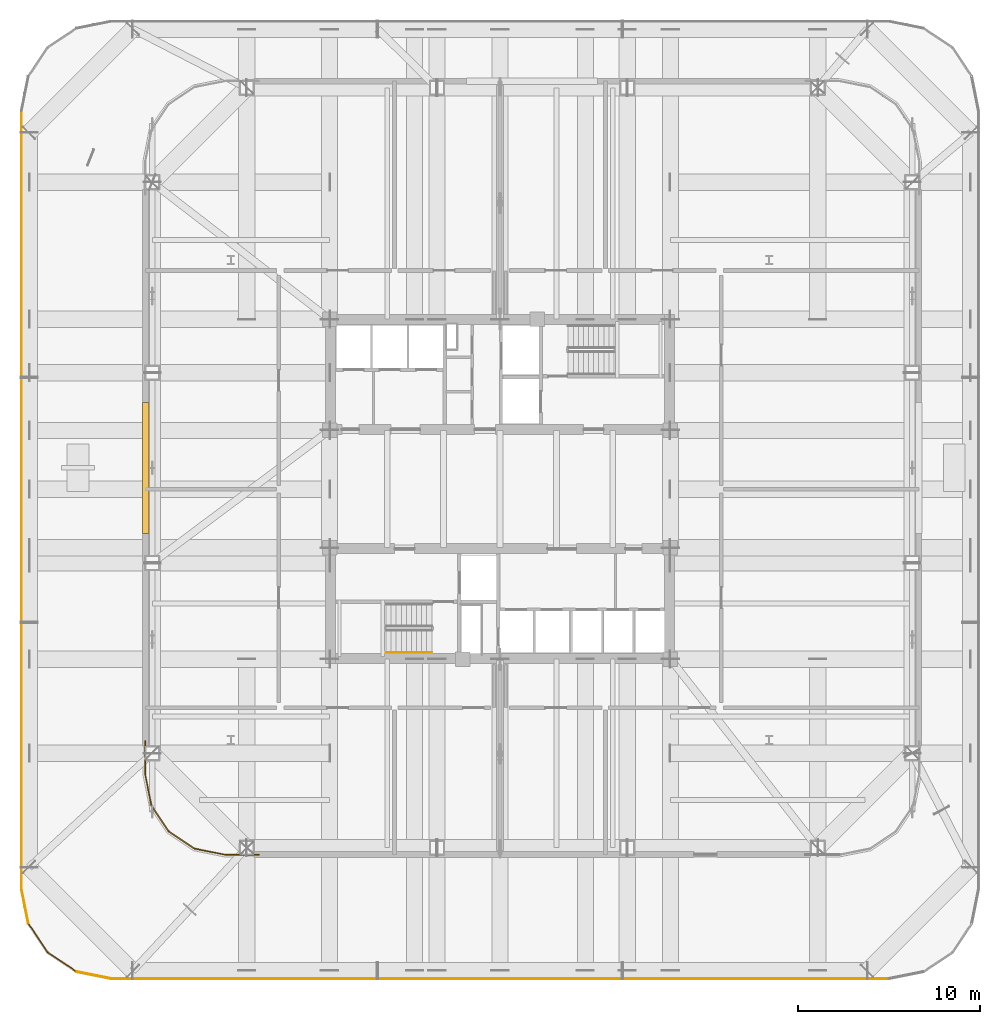
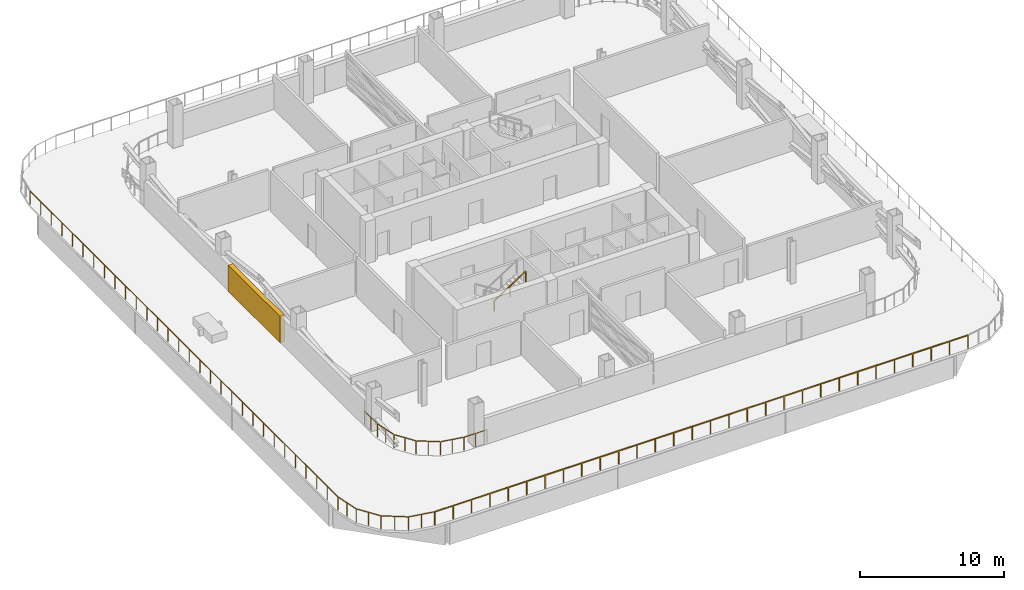
# One storey, part 11 of 16: 8 railings, 1 shading device.
"""IFC4 building model written with IfcOpenShell, lengths in metres."""

from ifc_helpers import new_model, si_unit, direction, frame, origin, origin_2d, place, context, subcontext, project, spatial, rectangle, extrude, material, type_object, element, save


model = new_model("IFC4")

# Units and contexts
model_context = context("Model", 3, precision=1e-05, world=origin(), true_north=direction((0.0, 1.0)))
body_context = subcontext(model_context, "Body", "Model", "MODEL_VIEW")
ifc_project = project(units=[si_unit("LENGTHUNIT", "METRE"), si_unit("AREAUNIT", "SQUARE_METRE"), si_unit("VOLUMEUNIT", "CUBIC_METRE"), si_unit("PLANEANGLEUNIT", "RADIAN"), si_unit("MASSUNIT", "GRAM", prefix="KILO")], contexts=[model_context])

# Site, building, storey
site_placement = place(None, origin())
site = spatial("IfcSite", under=ifc_project, at=site_placement, CompositionType="ELEMENT")
building_placement = place(site_placement, origin())
building = spatial("IfcBuilding", under=site, at=building_placement, Name="Qhalaya Broadcast Tower", CompositionType="ELEMENT")
storey_placement = place(building_placement, frame((0.0, 0.0, 57.89990234375)))
storey = spatial("IfcBuildingStorey", under=building, at=storey_placement, Name="L16", CompositionType="ELEMENT", Elevation=57.89990234375)

# Shading device
ifc_material_1 = material(Name="Fired Architectural Terracotta", Category="masonry")
shading_device_type = type_object("IfcShadingDeviceType", Name="Plant & Turbine-Slot Acoustic Louvre Screen LVS-01", PredefinedType="USERDEFINED", material=ifc_material_1)
shading_device_placement = place(storey_placement, frame((-19.489990234375, 1.77001953125, 0.0), z_axis=(0.0, 0.0, 1.0), x_axis=(0.0, 1.0, 0.0)))
element("IfcShadingDevice", 1, at=shading_device_placement, inside=storey, type_object=shading_device_type, Name="L16 Plant Acoustic Louvre Screen W", ObjectType="LOUVRE", PredefinedType="USERDEFINED", context=body_context, shape_type="SweptSolid", body=[
    extrude(rectangle(XDim=7.199951171875, YDim=0.360107421875, at=origin_2d()), origin(), (0.0, 0.0, 1.0), 2.241943359375),
])

# Railings
ifc_material_2 = material(Name="Powder-Coated Galvanised Steel", Category="steel")
railing_type_1 = type_object("IfcRailingType", Name="Stair Wall Handrail 900", PredefinedType="HANDRAIL", material=ifc_material_2)
railing_1_placement = place(storey_placement, frame((-6.27001953125, -8.389892578125, 1.97998046875)))
element("IfcRailing", 2, at=railing_1_placement, inside=storey, type_object=railing_type_1, Name="L16 ST-2 Stair Handrail 2", PredefinedType="HANDRAIL", context=body_context, shape_type="SweptSolid", body=[
    extrude(rectangle(XDim=0.048095703125, YDim=0.048095703125, at=origin_2d()), frame((0.0, 0.0, 0.8759765625), z_axis=(0.841162588446, 0.0, 0.540782303519), x_axis=(0.0, 1.0, 0.0)), (0.0, 0.0, 1.0), 2.995849609375),
    extrude(rectangle(XDim=0.0419921875, YDim=0.0419921875, at=origin_2d()), origin(), (0.0, 0.0, 1.0), 0.849853515625),
    extrude(rectangle(XDim=0.0419921875, YDim=0.0419921875, at=origin_2d()), frame((1.260009765625, 0.0, 0.81005859375)), (0.0, 0.0, 1.0), 0.849853515625),
    extrude(rectangle(XDim=0.0419921875, YDim=0.0419921875, at=origin_2d()), frame((2.52001953125, 0.0, 1.6201171875)), (0.0, 0.0, 1.0), 0.849853515625),
])
railing_type_2 = type_object("IfcRailingType", Name="Terrace, Sky-Pool & Lookout Glass Balustrade 1150", PredefinedType="BALUSTRADE", material=ifc_material_2)
railing_2_placement = place(storey_placement, frame((21.39208984375, -26.320068359375, 0.0)))
element("IfcRailing", 3, at=railing_2_placement, inside=storey, type_object=railing_type_2, Name="L16 Perimeter Safety Balustrade BAL-TER1-01", PredefinedType="BALUSTRADE", context=body_context, shape_type="SweptSolid", body=[
    extrude(rectangle(XDim=0.048095703125, YDim=0.048095703125, at=origin_2d()), frame((0.0, 0.0, 1.1259765625), z_axis=(-1.0, 0.0, 0.0), x_axis=(0.0, -1.0, 0.0)), (0.0, 0.0, 1.0), 42.7841796875),
    extrude(rectangle(XDim=0.0419921875, YDim=0.0419921875, at=origin_2d()), origin(), (0.0, 0.0, 1.0), 1.099853515625),
    extrude(rectangle(XDim=0.0419921875, YDim=0.0419921875, at=origin_2d()), frame((-1.475341796875, 0.0, 0.0)), (0.0, 0.0, 1.0), 1.099853515625),
    extrude(rectangle(XDim=0.0419921875, YDim=0.0419921875, at=origin_2d()), frame((-2.95068359375, 0.0, 0.0)), (0.0, 0.0, 1.0), 1.099853515625),
    extrude(rectangle(XDim=0.0419921875, YDim=0.0419921875, at=origin_2d()), frame((-4.426025390625, 0.0, 0.0)), (0.0, 0.0, 1.0), 1.099853515625),
    extrude(rectangle(XDim=0.0419921875, YDim=0.0419921875, at=origin_2d()), frame((-5.9013671875, 0.0, 0.0)), (0.0, 0.0, 1.0), 1.099853515625),
    extrude(rectangle(XDim=0.0419921875, YDim=0.0419921875, at=origin_2d()), frame((-7.37646484375, 0.0, 0.0)), (0.0, 0.0, 1.0), 1.099853515625),
    extrude(rectangle(XDim=0.0419921875, YDim=0.0419921875, at=origin_2d()), frame((-8.851806640625, 0.0, 0.0)), (0.0, 0.0, 1.0), 1.099853515625),
    extrude(rectangle(XDim=0.0419921875, YDim=0.0419921875, at=origin_2d()), frame((-10.3271484375, 0.0, 0.0)), (0.0, 0.0, 1.0), 1.099853515625),
    extrude(rectangle(XDim=0.0419921875, YDim=0.0419921875, at=origin_2d()), frame((-11.802490234375, 0.0, 0.0)), (0.0, 0.0, 1.0), 1.099853515625),
    extrude(rectangle(XDim=0.0419921875, YDim=0.0419921875, at=origin_2d()), frame((-13.27783203125, 0.0, 0.0)), (0.0, 0.0, 1.0), 1.099853515625),
    extrude(rectangle(XDim=0.0419921875, YDim=0.0419921875, at=origin_2d()), frame((-14.753173828125, 0.0, 0.0)), (0.0, 0.0, 1.0), 1.099853515625),
    extrude(rectangle(XDim=0.0419921875, YDim=0.0419921875, at=origin_2d()), frame((-16.228515625, 0.0, 0.0)), (0.0, 0.0, 1.0), 1.099853515625),
    extrude(rectangle(XDim=0.0419921875, YDim=0.0419921875, at=origin_2d()), frame((-17.703857421875, 0.0, 0.0)), (0.0, 0.0, 1.0), 1.099853515625),
    extrude(rectangle(XDim=0.0419921875, YDim=0.0419921875, at=origin_2d()), frame((-19.17919921875, 0.0, 0.0)), (0.0, 0.0, 1.0), 1.099853515625),
    extrude(rectangle(XDim=0.0419921875, YDim=0.0419921875, at=origin_2d()), frame((-20.654541015625, 0.0, 0.0)), (0.0, 0.0, 1.0), 1.099853515625),
    extrude(rectangle(XDim=0.0419921875, YDim=0.0419921875, at=origin_2d()), frame((-22.129638671875, 0.0, 0.0)), (0.0, 0.0, 1.0), 1.099853515625),
    extrude(rectangle(XDim=0.0419921875, YDim=0.0419921875, at=origin_2d()), frame((-23.60498046875, 0.0, 0.0)), (0.0, 0.0, 1.0), 1.099853515625),
    extrude(rectangle(XDim=0.0419921875, YDim=0.0419921875, at=origin_2d()), frame((-25.080322265625, 0.0, 0.0)), (0.0, 0.0, 1.0), 1.099853515625),
    extrude(rectangle(XDim=0.0419921875, YDim=0.0419921875, at=origin_2d()), frame((-26.5556640625, 0.0, 0.0)), (0.0, 0.0, 1.0), 1.099853515625),
    extrude(rectangle(XDim=0.0419921875, YDim=0.0419921875, at=origin_2d()), frame((-28.031005859375, 0.0, 0.0)), (0.0, 0.0, 1.0), 1.099853515625),
    extrude(rectangle(XDim=0.0419921875, YDim=0.0419921875, at=origin_2d()), frame((-29.50634765625, 0.0, 0.0)), (0.0, 0.0, 1.0), 1.099853515625),
    extrude(rectangle(XDim=0.0419921875, YDim=0.0419921875, at=origin_2d()), frame((-30.981689453125, 0.0, 0.0)), (0.0, 0.0, 1.0), 1.099853515625),
    extrude(rectangle(XDim=0.0419921875, YDim=0.0419921875, at=origin_2d()), frame((-32.45703125, 0.0, 0.0)), (0.0, 0.0, 1.0), 1.099853515625),
    extrude(rectangle(XDim=0.0419921875, YDim=0.0419921875, at=origin_2d()), frame((-33.932373046875, 0.0, 0.0)), (0.0, 0.0, 1.0), 1.099853515625),
    extrude(rectangle(XDim=0.0419921875, YDim=0.0419921875, at=origin_2d()), frame((-35.40771484375, 0.0, 0.0)), (0.0, 0.0, 1.0), 1.099853515625),
    extrude(rectangle(XDim=0.0419921875, YDim=0.0419921875, at=origin_2d()), frame((-36.8828125, 0.0, 0.0)), (0.0, 0.0, 1.0), 1.099853515625),
    extrude(rectangle(XDim=0.0419921875, YDim=0.0419921875, at=origin_2d()), frame((-38.358154296875, 0.0, 0.0)), (0.0, 0.0, 1.0), 1.099853515625),
    extrude(rectangle(XDim=0.0419921875, YDim=0.0419921875, at=origin_2d()), frame((-39.83349609375, 0.0, 0.0)), (0.0, 0.0, 1.0), 1.099853515625),
    extrude(rectangle(XDim=0.0419921875, YDim=0.0419921875, at=origin_2d()), frame((-41.308837890625, 0.0, 0.0)), (0.0, 0.0, 1.0), 1.099853515625),
    extrude(rectangle(XDim=0.0419921875, YDim=0.0419921875, at=origin_2d()), frame((-42.7841796875, 0.0, 0.0)), (0.0, 0.0, 1.0), 1.099853515625),
])
railing_3_placement = place(storey_placement, frame((-21.39208984375, -26.320068359375, 0.0)))
element("IfcRailing", 4, at=railing_3_placement, inside=storey, type_object=railing_type_2, Name="L16 Perimeter Safety Balustrade BAL-TER1-02", PredefinedType="BALUSTRADE", context=body_context, shape_type="SweptSolid", body=[
    extrude(rectangle(XDim=0.048095703125, YDim=0.048095703125, at=origin_2d()), frame((0.0, 0.0, 1.1259765625), z_axis=(-0.980784784652, 0.195092814307, 0.0), x_axis=(-0.195092814307, -0.980784784652, 0.0)), (0.0, 0.0, 1.0), 1.92724609375),
    extrude(rectangle(XDim=0.0419921875, YDim=0.0419921875, at=origin_2d()), origin(), (0.0, 0.0, 1.0), 1.099853515625),
    extrude(rectangle(XDim=0.0419921875, YDim=0.0419921875, at=origin_2d()), frame((-0.945068359375, 0.18798828125, 0.0)), (0.0, 0.0, 1.0), 1.099853515625),
    extrude(rectangle(XDim=0.0419921875, YDim=0.0419921875, at=origin_2d()), frame((-1.89013671875, 0.3759765625, 0.0)), (0.0, 0.0, 1.0), 1.099853515625),
])
railing_4_placement = place(storey_placement, frame((-23.2822265625, -25.944091796875, 0.0)))
element("IfcRailing", 5, at=railing_4_placement, inside=storey, type_object=railing_type_2, Name="L16 Perimeter Safety Balustrade BAL-TER1-03", PredefinedType="BALUSTRADE", context=body_context, shape_type="SweptSolid", body=[
    extrude(rectangle(XDim=0.048095703125, YDim=0.048095703125, at=origin_2d()), frame((0.0, 0.0, 1.1259765625), z_axis=(-0.831384235895, 0.555697986594, 0.0), x_axis=(-0.555697986594, -0.831384235895, 0.0)), (0.0, 0.0, 1.0), 1.9189453125),
    extrude(rectangle(XDim=0.0419921875, YDim=0.0419921875, at=origin_2d()), origin(), (0.0, 0.0, 1.0), 1.099853515625),
    extrude(rectangle(XDim=0.0419921875, YDim=0.0419921875, at=origin_2d()), frame((-0.7978515625, 0.533203125, 0.0)), (0.0, 0.0, 1.0), 1.099853515625),
    extrude(rectangle(XDim=0.0419921875, YDim=0.0419921875, at=origin_2d()), frame((-1.595458984375, 1.06640625, 0.0)), (0.0, 0.0, 1.0), 1.099853515625),
])
railing_5_placement = place(storey_placement, frame((-24.877685546875, -24.877685546875, 0.0)))
element("IfcRailing", 6, at=railing_5_placement, inside=storey, type_object=railing_type_2, Name="L16 Perimeter Safety Balustrade BAL-TER1-04", PredefinedType="BALUSTRADE", context=body_context, shape_type="SweptSolid", body=[
    extrude(rectangle(XDim=0.048095703125, YDim=0.048095703125, at=origin_2d()), frame((0.0, 0.0, 1.1259765625), z_axis=(-0.555697986594, 0.831384235895, 0.0), x_axis=(-0.831384235895, -0.555697986594, 0.0)), (0.0, 0.0, 1.0), 1.9189453125),
    extrude(rectangle(XDim=0.0419921875, YDim=0.0419921875, at=origin_2d()), origin(), (0.0, 0.0, 1.0), 1.099853515625),
    extrude(rectangle(XDim=0.0419921875, YDim=0.0419921875, at=origin_2d()), frame((-0.533203125, 0.7978515625, 0.0)), (0.0, 0.0, 1.0), 1.099853515625),
    extrude(rectangle(XDim=0.0419921875, YDim=0.0419921875, at=origin_2d()), frame((-1.06640625, 1.595458984375, 0.0)), (0.0, 0.0, 1.0), 1.099853515625),
])
railing_6_placement = place(storey_placement, frame((-25.944091796875, -23.2822265625, 0.0)))
element("IfcRailing", 7, at=railing_6_placement, inside=storey, type_object=railing_type_2, Name="L16 Perimeter Safety Balustrade BAL-TER1-05", PredefinedType="BALUSTRADE", context=body_context, shape_type="SweptSolid", body=[
    extrude(rectangle(XDim=0.048095703125, YDim=0.048095703125, at=origin_2d()), frame((0.0, 0.0, 1.1259765625), z_axis=(-0.195092814307, 0.980784784652, 0.0), x_axis=(-0.980784784652, -0.195092814307, 0.0)), (0.0, 0.0, 1.0), 1.92724609375),
    extrude(rectangle(XDim=0.0419921875, YDim=0.0419921875, at=origin_2d()), origin(), (0.0, 0.0, 1.0), 1.099853515625),
    extrude(rectangle(XDim=0.0419921875, YDim=0.0419921875, at=origin_2d()), frame((-0.18798828125, 0.945068359375, 0.0)), (0.0, 0.0, 1.0), 1.099853515625),
    extrude(rectangle(XDim=0.0419921875, YDim=0.0419921875, at=origin_2d()), frame((-0.3759765625, 1.89013671875, 0.0)), (0.0, 0.0, 1.0), 1.099853515625),
])
railing_7_placement = place(storey_placement, frame((-26.320068359375, -21.39208984375, 0.0)))
element("IfcRailing", 8, at=railing_7_placement, inside=storey, type_object=railing_type_2, Name="L16 Perimeter Safety Balustrade BAL-TER1-06", PredefinedType="BALUSTRADE", context=body_context, shape_type="SweptSolid", body=[
    extrude(rectangle(XDim=0.048095703125, YDim=0.048095703125, at=origin_2d()), frame((0.0, 0.0, 1.1259765625), z_axis=(0.0, 1.0, 0.0), x_axis=(-1.0, 0.0, 0.0)), (0.0, 0.0, 1.0), 42.7841796875),
    extrude(rectangle(XDim=0.0419921875, YDim=0.0419921875, at=origin_2d()), origin(), (0.0, 0.0, 1.0), 1.099853515625),
    extrude(rectangle(XDim=0.0419921875, YDim=0.0419921875, at=origin_2d()), frame((0.0, 1.475341796875, 0.0)), (0.0, 0.0, 1.0), 1.099853515625),
    extrude(rectangle(XDim=0.0419921875, YDim=0.0419921875, at=origin_2d()), frame((0.0, 2.95068359375, 0.0)), (0.0, 0.0, 1.0), 1.099853515625),
    extrude(rectangle(XDim=0.0419921875, YDim=0.0419921875, at=origin_2d()), frame((0.0, 4.426025390625, 0.0)), (0.0, 0.0, 1.0), 1.099853515625),
    extrude(rectangle(XDim=0.0419921875, YDim=0.0419921875, at=origin_2d()), frame((0.0, 5.9013671875, 0.0)), (0.0, 0.0, 1.0), 1.099853515625),
    extrude(rectangle(XDim=0.0419921875, YDim=0.0419921875, at=origin_2d()), frame((0.0, 7.37646484375, 0.0)), (0.0, 0.0, 1.0), 1.099853515625),
    extrude(rectangle(XDim=0.0419921875, YDim=0.0419921875, at=origin_2d()), frame((0.0, 8.851806640625, 0.0)), (0.0, 0.0, 1.0), 1.099853515625),
    extrude(rectangle(XDim=0.0419921875, YDim=0.0419921875, at=origin_2d()), frame((0.0, 10.3271484375, 0.0)), (0.0, 0.0, 1.0), 1.099853515625),
    extrude(rectangle(XDim=0.0419921875, YDim=0.0419921875, at=origin_2d()), frame((0.0, 11.802490234375, 0.0)), (0.0, 0.0, 1.0), 1.099853515625),
    extrude(rectangle(XDim=0.0419921875, YDim=0.0419921875, at=origin_2d()), frame((0.0, 13.27783203125, 0.0)), (0.0, 0.0, 1.0), 1.099853515625),
    extrude(rectangle(XDim=0.0419921875, YDim=0.0419921875, at=origin_2d()), frame((0.0, 14.753173828125, 0.0)), (0.0, 0.0, 1.0), 1.099853515625),
    extrude(rectangle(XDim=0.0419921875, YDim=0.0419921875, at=origin_2d()), frame((0.0, 16.228515625, 0.0)), (0.0, 0.0, 1.0), 1.099853515625),
    extrude(rectangle(XDim=0.0419921875, YDim=0.0419921875, at=origin_2d()), frame((0.0, 17.703857421875, 0.0)), (0.0, 0.0, 1.0), 1.099853515625),
    extrude(rectangle(XDim=0.0419921875, YDim=0.0419921875, at=origin_2d()), frame((0.0, 19.17919921875, 0.0)), (0.0, 0.0, 1.0), 1.099853515625),
    extrude(rectangle(XDim=0.0419921875, YDim=0.0419921875, at=origin_2d()), frame((0.0, 20.654541015625, 0.0)), (0.0, 0.0, 1.0), 1.099853515625),
    extrude(rectangle(XDim=0.0419921875, YDim=0.0419921875, at=origin_2d()), frame((0.0, 22.129638671875, 0.0)), (0.0, 0.0, 1.0), 1.099853515625),
    extrude(rectangle(XDim=0.0419921875, YDim=0.0419921875, at=origin_2d()), frame((0.0, 23.60498046875, 0.0)), (0.0, 0.0, 1.0), 1.099853515625),
    extrude(rectangle(XDim=0.0419921875, YDim=0.0419921875, at=origin_2d()), frame((0.0, 25.080322265625, 0.0)), (0.0, 0.0, 1.0), 1.099853515625),
    extrude(rectangle(XDim=0.0419921875, YDim=0.0419921875, at=origin_2d()), frame((0.0, 26.5556640625, 0.0)), (0.0, 0.0, 1.0), 1.099853515625),
    extrude(rectangle(XDim=0.0419921875, YDim=0.0419921875, at=origin_2d()), frame((0.0, 28.031005859375, 0.0)), (0.0, 0.0, 1.0), 1.099853515625),
    extrude(rectangle(XDim=0.0419921875, YDim=0.0419921875, at=origin_2d()), frame((0.0, 29.50634765625, 0.0)), (0.0, 0.0, 1.0), 1.099853515625),
    extrude(rectangle(XDim=0.0419921875, YDim=0.0419921875, at=origin_2d()), frame((0.0, 30.981689453125, 0.0)), (0.0, 0.0, 1.0), 1.099853515625),
    extrude(rectangle(XDim=0.0419921875, YDim=0.0419921875, at=origin_2d()), frame((0.0, 32.45703125, 0.0)), (0.0, 0.0, 1.0), 1.099853515625),
    extrude(rectangle(XDim=0.0419921875, YDim=0.0419921875, at=origin_2d()), frame((0.0, 33.932373046875, 0.0)), (0.0, 0.0, 1.0), 1.099853515625),
    extrude(rectangle(XDim=0.0419921875, YDim=0.0419921875, at=origin_2d()), frame((0.0, 35.40771484375, 0.0)), (0.0, 0.0, 1.0), 1.099853515625),
    extrude(rectangle(XDim=0.0419921875, YDim=0.0419921875, at=origin_2d()), frame((0.0, 36.8828125, 0.0)), (0.0, 0.0, 1.0), 1.099853515625),
    extrude(rectangle(XDim=0.0419921875, YDim=0.0419921875, at=origin_2d()), frame((0.0, 38.358154296875, 0.0)), (0.0, 0.0, 1.0), 1.099853515625),
    extrude(rectangle(XDim=0.0419921875, YDim=0.0419921875, at=origin_2d()), frame((0.0, 39.83349609375, 0.0)), (0.0, 0.0, 1.0), 1.099853515625),
    extrude(rectangle(XDim=0.0419921875, YDim=0.0419921875, at=origin_2d()), frame((0.0, 41.308837890625, 0.0)), (0.0, 0.0, 1.0), 1.099853515625),
    extrude(rectangle(XDim=0.0419921875, YDim=0.0419921875, at=origin_2d()), frame((0.0, 42.7841796875, 0.0)), (0.0, 0.0, 1.0), 1.099853515625),
])
railing_8_placement = place(storey_placement, frame((-13.261962890625, -19.510009765625, 0.0)))
element("IfcRailing", 9, at=railing_8_placement, inside=storey, type_object=railing_type_2, Name="L16 Rounded Corner Perimeter Guard 02", PredefinedType="BALUSTRADE", context=body_context, shape_type="SweptSolid", body=[
    extrude(rectangle(XDim=0.048095703125, YDim=0.048095703125, at=origin_2d()), frame((0.0, 0.0, 1.1259765625), z_axis=(-1.0, 0.0, 0.0), x_axis=(0.0, -1.0, 0.0)), (0.0, 0.0, 1.0), 1.827392578125),
    extrude(rectangle(XDim=0.048095703125, YDim=0.048095703125, at=origin_2d()), frame((-1.884521484375, 0.005615234375, 1.1259765625), z_axis=(-0.980803832953, 0.194997028864, 0.0), x_axis=(-0.194997028864, -0.980803832953, 0.0)), (0.0, 0.0, 1.0), 1.66259765625),
    extrude(rectangle(XDim=0.048095703125, YDim=0.048095703125, at=origin_2d()), frame((-3.5673828125, 0.3515625, 1.1259765625), z_axis=(-0.831456085426, 0.555590476887, 0.0), x_axis=(-0.555590476887, -0.831456085426, 0.0)), (0.0, 0.0, 1.0), 1.650390625),
    extrude(rectangle(XDim=0.048095703125, YDim=0.048095703125, at=origin_2d()), frame((-4.979736328125, 1.308349609375, 1.1259765625), z_axis=(-0.555590476887, 0.831456085426, 0.0), x_axis=(-0.831456085426, -0.555590476887, 0.0)), (0.0, 0.0, 1.0), 1.650390625),
    extrude(rectangle(XDim=0.048095703125, YDim=0.048095703125, at=origin_2d()), frame((-5.918212890625, 2.73291015625, 1.1259765625), z_axis=(-0.194997028864, 0.980803832953, 0.0), x_axis=(-0.980803832953, -0.194997028864, 0.0)), (0.0, 0.0, 1.0), 1.66259765625),
    extrude(rectangle(XDim=0.048095703125, YDim=0.048095703125, at=origin_2d()), frame((-6.248046875, 4.420654296875, 1.1259765625), z_axis=(0.0, 1.0, 0.0), x_axis=(-1.0, 0.0, 0.0)), (0.0, 0.0, 1.0), 1.827392578125),
    extrude(rectangle(XDim=0.0419921875, YDim=0.0419921875, at=origin_2d()), origin(), (0.0, 0.0, 1.0), 1.099853515625),
    extrude(rectangle(XDim=0.0419921875, YDim=0.0419921875, at=origin_2d()), frame((-0.92822265625, 0.0, 0.0)), (0.0, 0.0, 1.0), 1.099853515625),
    extrude(rectangle(XDim=0.0419921875, YDim=0.0419921875, at=origin_2d()), frame((-1.856201171875, 0.0, 0.0)), (0.0, 0.0, 1.0), 1.099853515625),
    extrude(rectangle(XDim=0.0419921875, YDim=0.0419921875, at=origin_2d()), frame((-2.69970703125, 0.167724609375, 0.0)), (0.0, 0.0, 1.0), 1.099853515625),
    extrude(rectangle(XDim=0.0419921875, YDim=0.0419921875, at=origin_2d()), frame((-3.54345703125, 0.33544921875, 0.0)), (0.0, 0.0, 1.0), 1.099853515625),
    extrude(rectangle(XDim=0.0419921875, YDim=0.0419921875, at=origin_2d()), frame((-4.25341796875, 0.81005859375, 0.0)), (0.0, 0.0, 1.0), 1.099853515625),
    extrude(rectangle(XDim=0.0419921875, YDim=0.0419921875, at=origin_2d()), frame((-4.963623046875, 1.284423828125, 0.0)), (0.0, 0.0, 1.0), 1.099853515625),
    extrude(rectangle(XDim=0.0419921875, YDim=0.0419921875, at=origin_2d()), frame((-5.43798828125, 1.99462890625, 0.0)), (0.0, 0.0, 1.0), 1.099853515625),
    extrude(rectangle(XDim=0.0419921875, YDim=0.0419921875, at=origin_2d()), frame((-5.91259765625, 2.70458984375, 0.0)), (0.0, 0.0, 1.0), 1.099853515625),
    extrude(rectangle(XDim=0.0419921875, YDim=0.0419921875, at=origin_2d()), frame((-6.080322265625, 3.54833984375, 0.0)), (0.0, 0.0, 1.0), 1.099853515625),
    extrude(rectangle(XDim=0.0419921875, YDim=0.0419921875, at=origin_2d()), frame((-6.248046875, 4.391845703125, 0.0)), (0.0, 0.0, 1.0), 1.099853515625),
    extrude(rectangle(XDim=0.0419921875, YDim=0.0419921875, at=origin_2d()), frame((-6.248046875, 5.31982421875, 0.0)), (0.0, 0.0, 1.0), 1.099853515625),
    extrude(rectangle(XDim=0.0419921875, YDim=0.0419921875, at=origin_2d()), frame((-6.248046875, 6.248046875, 0.0)), (0.0, 0.0, 1.0), 1.099853515625),
])

save(model, "model.ifc")
